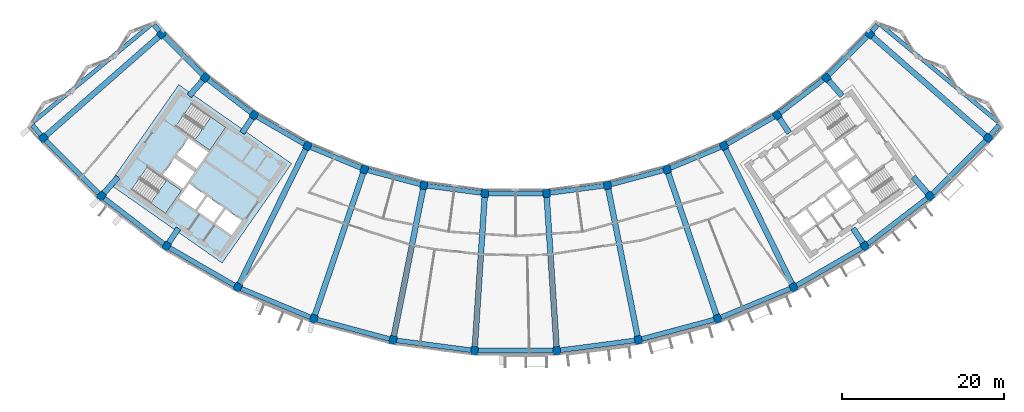
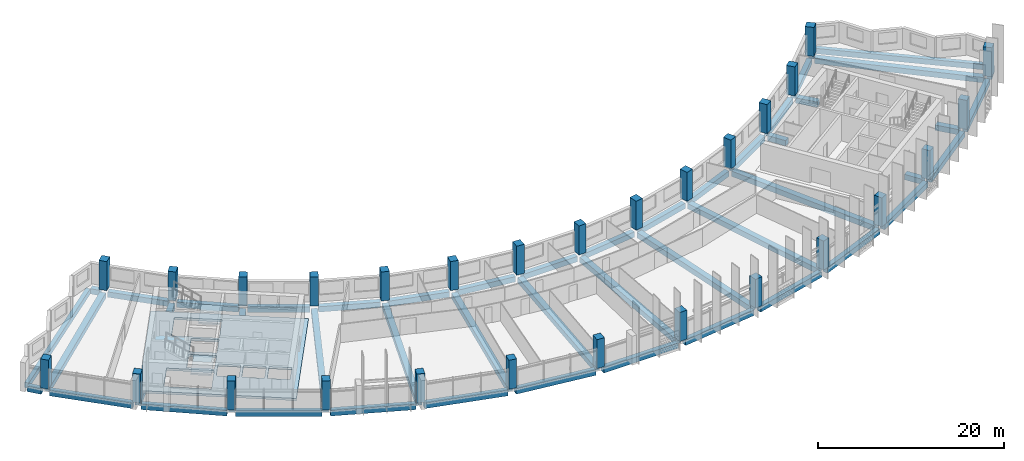
# One storey, part 1 of 28: 50 beams, 28 columns, 3 slabs, 2 elements without a shape of their own.
"""IFC4 building model written with IfcOpenShell, lengths in metres."""

from ifc_helpers import new_model, si_unit, direction, frame, origin, origin_2d, place, context, subcontext, project, spatial, polyline, rectangle, outline, extrude, material, layer, layer_set, material_profile, profile_set, type_object, element, aggregate, save


model = new_model("IFC4")

# Units and contexts
model_context = context("Model", 3, precision=1e-05, world=origin(), true_north=direction((0.0, 1.0)))
body_context = subcontext(model_context, "Body", "Model", "MODEL_VIEW")
ifc_project = project(units=[si_unit("LENGTHUNIT", "METRE"), si_unit("AREAUNIT", "SQUARE_METRE"), si_unit("VOLUMEUNIT", "CUBIC_METRE"), si_unit("PLANEANGLEUNIT", "RADIAN"), si_unit("MASSUNIT", "GRAM", prefix="KILO")], contexts=[model_context])

# Site, building, storey
site_placement = place(None, origin())
site = spatial("IfcSite", under=ifc_project, at=site_placement, CompositionType="ELEMENT")
building_placement = place(site_placement, origin())
building = spatial("IfcBuilding", under=site, at=building_placement, Name="Qamariyya Broadcast Tower", CompositionType="ELEMENT")
storey_placement = place(building_placement, frame((0.0, 0.0, 273.300048828125)))
storey = spatial("IfcBuildingStorey", under=building, at=storey_placement, Name="L66", CompositionType="ELEMENT", Elevation=273.300048828125)

# Columns
ifc_material_1 = material(Name="Concrete C50/60", Category="concrete")
ifc_material_profile_1 = material_profile(ifc_material_1, rectangle(XDim=0.89990234375, YDim=1.0, at=origin_2d()))
ifc_profile_set_1 = profile_set([ifc_material_profile_1], Name="Concrete C50/60")
column_type = type_object("IfcColumnType", Name="RC column 900 x 1000 C50/60", PredefinedType="COLUMN", material=ifc_profile_set_1)
for number, where, z_axis, x_axis, name in (
    (1, (-43.794677734375, -38.406982421875, 0.0), (0.0, 0.0, 1.0), (0.6593458151, -0.751839807479, 0.0), "Column C12 L66 B-R04"),
    (2, (-58.45556640625, -51.26416015625, 0.0), (0.0, 0.0, 1.0), (0.6593458151, -0.751839807479, 0.0), "Column C12 L66 C-R04"),
    (3, (-38.406982421875, -43.794677734375, 0.0), (0.0, 0.0, 1.0), (0.751839807479, -0.6593458151, 0.0), "Column C12 L66 B-R05"),
    (4, (-51.26416015625, -58.45556640625, 0.0), (0.0, 0.0, 1.0), (0.751839807479, -0.6593458151, 0.0), "Column C12 L66 C-R05"),
    (5, (-32.362060546875, -48.43310546875, 0.0), (0.0, 0.0, 1.0), (0.831469612303, -0.55557023302, 0.0), "Column C12 L66 B-R06"),
    (6, (-43.195556640625, -64.646728515625, 0.0), (0.0, 0.0, 1.0), (0.831469612303, -0.55557023302, 0.0), "Column C12 L66 C-R06"),
    (7, (-25.763427734375, -52.242919921875, 0.0), (0.0, 0.0, 1.0), (0.896872741533, -0.442288690219, 0.0), "Column C12 L66 B-R07"),
    (8, (-34.387939453125, -69.73193359375, 0.0), (0.0, 0.0, 1.0), (0.896872741533, -0.442288690219, 0.0), "Column C12 L66 C-R07"),
    (9, (-18.723876953125, -55.15869140625, 0.0), (0.0, 0.0, 1.0), (0.946930129495, -0.321439465303, 0.0), "Column C12 L66 B-R08"),
    (10, (-24.991943359375, -73.623779296875, 0.0), (0.0, 0.0, 1.0), (0.946930129495, -0.321439465303, 0.0), "Column C12 L66 C-R08"),
    (11, (-11.364013671875, -57.130859375, 0.0), (0.0, 0.0, 1.0), (0.980785280403, -0.195090322016, 0.0), "Column C12 L66 B-R09"),
    (12, (-15.168212890625, -76.256103515625, 0.0), (0.0, 0.0, 1.0), (0.980785280403, -0.195090322016, 0.0), "Column C12 L66 C-R09"),
    (13, (-3.809814453125, -58.125244140625, 0.0), (0.0, 0.0, 1.0), (0.997858923239, -0.06540312923, 0.0), "Column C12 L66 B-R10"),
    (14, (-5.085205078125, -77.58349609375, 0.0), (0.0, 0.0, 1.0), (0.997858923239, -0.06540312923, 0.0), "Column C12 L66 C-R10"),
    (15, (3.809814453125, -58.125244140625, 0.0), (0.0, 0.0, 1.0), (0.997858923239, 0.06540312923, 0.0), "Column C12 L66 B-R11"),
    (16, (5.085205078125, -77.58349609375, 0.0), (0.0, 0.0, 1.0), (0.997858923239, 0.06540312923, 0.0), "Column C12 L66 C-R11"),
    (17, (11.364013671875, -57.130859375, 0.0), (0.0, 0.0, 1.0), (0.980785280403, 0.195090322016, 0.0), "Column C12 L66 B-R12"),
    (18, (15.168212890625, -76.256103515625, 0.0), (0.0, 0.0, 1.0), (0.980785280403, 0.195090322016, 0.0), "Column C12 L66 C-R12"),
    (19, (18.723876953125, -55.15869140625, 0.0), (0.0, 0.0, 1.0), (0.946930129495, 0.321439465303, 0.0), "Column C12 L66 B-R13"),
    (20, (24.991943359375, -73.623779296875, 0.0), (0.0, 0.0, 1.0), (0.946930129495, 0.321439465303, 0.0), "Column C12 L66 C-R13"),
    (21, (25.763427734375, -52.242919921875, 0.0), (0.0, 0.0, 1.0), (0.896872741533, 0.442288690219, 0.0), "Column C12 L66 B-R14"),
    (22, (34.387939453125, -69.73193359375, 0.0), (0.0, 0.0, 1.0), (0.896872741533, 0.442288690219, 0.0), "Column C12 L66 C-R14"),
    (23, (32.362060546875, -48.43310546875, 0.0), (0.0, 0.0, 1.0), (0.831469612303, 0.55557023302, 0.0), "Column C12 L66 B-R15"),
    (24, (43.195556640625, -64.646728515625, 0.0), (0.0, 0.0, 1.0), (0.831469612303, 0.55557023302, 0.0), "Column C12 L66 C-R15"),
    (25, (38.406982421875, -43.794677734375, 0.0), (0.0, 0.0, 1.0), (0.751839807479, 0.6593458151, 0.0), "Column C12 L66 B-R16"),
    (26, (51.26416015625, -58.45556640625, 0.0), (0.0, 0.0, 1.0), (0.751839807479, 0.6593458151, 0.0), "Column C12 L66 C-R16"),
    (27, (43.794677734375, -38.406982421875, 0.0), (0.0, 0.0, 1.0), (0.6593458151, 0.751839807479, 0.0), "Column C12 L66 B-R17"),
    (28, (58.45556640625, -51.26416015625, 0.0), (0.0, 0.0, 1.0), (0.6593458151, 0.751839807479, 0.0), "Column C12 L66 C-R17"),
):
    element("IfcColumn", number, at=place(storey_placement, frame(where, z_axis=z_axis, x_axis=x_axis)), inside=storey, type_object=column_type, Name=name, PredefinedType="COLUMN", context=body_context, shape_type="SweptSolid", body=[
        extrude(rectangle(XDim=0.89990234375, YDim=1.0, at=origin_2d()), origin(), (0.0, 0.0, 1.0), 3.800048828125),
    ])

# Beams
ifc_material_2 = material(Name="Concrete C40/50", Category="concrete")
ifc_material_profile_2 = material_profile(ifc_material_2, rectangle(XDim=0.60009765625, YDim=0.699951171875, at=origin_2d()))
ifc_profile_set_2 = profile_set([ifc_material_profile_2], Name="Concrete C40/50")
beam_type_1 = type_object("IfcBeamType", Name="RC edge beam 600 x 700 C40/50", PredefinedType="SPANDREL", material=ifc_profile_set_2)
for number, where, z_axis, x_axis, name in (
    (29, (-43.475830078125, -38.725830078125, -0.650146484375), (0.707106781187, -0.707106781187, 0.0), (0.707106781187, 0.707106781187, 0.0), "Edge beam B20 L66 B R04-R05"),
    (30, (-38.049072265625, -44.069091796875, -0.650146484375), (0.793335450892, -0.608784742219, 0.0), (0.608784742219, 0.793335450892, 0.0), "Edge beam B20 L66 B R05-R06"),
    (31, (-31.971435546875, -48.65869140625, -0.650146484375), (0.866036098112, -0.499981476425, 0.0), (0.499981476425, 0.866036098112, 0.0), "Edge beam B20 L66 B R06-R07"),
    (32, (-25.3466796875, -52.41552734375, -0.650146484375), (0.923888821942, -0.382661004926, 0.0), (0.382661004926, 0.923888821942, 0.0), "Edge beam B20 L66 B R07-R08"),
    (33, (-18.288330078125, -55.275390625, -0.650146484375), (0.965930856343, -0.258800271955, 0.0), (0.258800271955, 0.965930856343, 0.0), "Edge beam B20 L66 B R08-R09"),
    (34, (-10.9169921875, -57.189697265625, -0.650146484375), (0.991447119382, -0.130509039798, 0.0), (0.130509039798, 0.991447119382, 0.0), "Edge beam B20 L66 B R09-R10"),
):
    element("IfcBeam", number, at=place(storey_placement, frame(where, z_axis=z_axis, x_axis=x_axis)), inside=storey, type_object=beam_type_1, Name=name, PredefinedType="SPANDREL", context=body_context, shape_type="SweptSolid", body=[
        extrude(rectangle(XDim=0.60009765625, YDim=0.699951171875, at=origin_2d()), origin(), (0.0, 0.0, 1.0), 6.717529296875),
    ])
beam_1_placement = place(storey_placement, frame((-3.35888671875, -58.125244140625, -0.650146484375), z_axis=(1.0, 0.0, 0.0), x_axis=(0.0, 1.0, 0.0)))
element("IfcBeam", 35, at=beam_1_placement, inside=storey, type_object=beam_type_1, Name="Edge beam B20 L66 B R10-R11", PredefinedType="SPANDREL", context=body_context, shape_type="SweptSolid", body=[
    extrude(rectangle(XDim=0.60009765625, YDim=0.699951171875, at=origin_2d()), origin(), (0.0, 0.0, 1.0), 6.7177734375),
])
for number, where, z_axis, x_axis, name in (
    (36, (4.2568359375, -58.06640625, -0.650146484375), (0.991447119382, 0.130509039798, 0.0), (-0.130509039798, 0.991447119382, 0.0), "Edge beam B20 L66 B R11-R12"),
    (37, (11.799560546875, -57.013916015625, -0.650146484375), (0.965930856343, 0.258800271955, 0.0), (-0.258800271955, 0.965930856343, 0.0), "Edge beam B20 L66 B R12-R13"),
    (38, (19.140380859375, -54.986083984375, -0.650146484375), (0.923888821942, 0.382661004926, 0.0), (-0.382661004926, 0.923888821942, 0.0), "Edge beam B20 L66 B R13-R14"),
    (39, (26.15380859375, -52.017333984375, -0.650146484375), (0.866036098112, 0.499981476425, 0.0), (-0.499981476425, 0.866036098112, 0.0), "Edge beam B20 L66 B R14-R15"),
    (40, (32.7197265625, -48.15869140625, -0.650146484375), (0.793335450892, 0.608784742219, 0.0), (-0.608784742219, 0.793335450892, 0.0), "Edge beam B20 L66 B R15-R16"),
    (41, (38.725830078125, -43.475830078125, -0.650146484375), (0.707106781187, 0.707106781187, 0.0), (-0.707106781187, 0.707106781187, 0.0), "Edge beam B20 L66 B R16-R17"),
):
    element("IfcBeam", number, at=place(storey_placement, frame(where, z_axis=z_axis, x_axis=x_axis)), inside=storey, type_object=beam_type_1, Name=name, PredefinedType="SPANDREL", context=body_context, shape_type="SweptSolid", body=[
        extrude(rectangle(XDim=0.60009765625, YDim=0.699951171875, at=origin_2d()), origin(), (0.0, 0.0, 1.0), 6.717529296875),
    ])
for number, where, z_axis, x_axis, name in (
    (42, (-58.13671875, -51.5830078125, -0.650146484375), (0.707106781187, -0.707106781187, 0.0), (0.707106781187, 0.707106781187, 0.0), "Edge beam B20 L66 C R04-R05"),
    (43, (-50.90625, -58.72998046875, -0.650146484375), (0.793335362304, -0.608784857662, 0.0), (0.608784857662, 0.793335362304, 0.0), "Edge beam B20 L66 C R05-R06"),
):
    element("IfcBeam", number, at=place(storey_placement, frame(where, z_axis=z_axis, x_axis=x_axis)), inside=storey, type_object=beam_type_1, Name=name, PredefinedType="SPANDREL", context=body_context, shape_type="SweptSolid", body=[
        extrude(rectangle(XDim=0.60009765625, YDim=0.699951171875, at=origin_2d()), origin(), (0.0, 0.0, 1.0), 9.268310546875),
    ])
for number, where, z_axis, x_axis, name in (
    (44, (-42.804931640625, -64.872314453125, -0.650146484375), (0.866025032501, -0.50000064308, 0.0), (0.50000064308, 0.866025032501, 0.0), "Edge beam B20 L66 C R06-R07"),
    (45, (-33.97119140625, -69.904541015625, -0.650146484375), (0.923886165939, -0.382667417461, 0.0), (0.382667417461, 0.923886165939, 0.0), "Edge beam B20 L66 C R07-R08"),
):
    element("IfcBeam", number, at=place(storey_placement, frame(where, z_axis=z_axis, x_axis=x_axis)), inside=storey, type_object=beam_type_1, Name=name, PredefinedType="SPANDREL", context=body_context, shape_type="SweptSolid", body=[
        extrude(rectangle(XDim=0.60009765625, YDim=0.699951171875, at=origin_2d()), origin(), (0.0, 0.0, 1.0), 9.26806640625),
    ])
beam_2_placement = place(storey_placement, frame((-24.556396484375, -73.740478515625, -0.650146484375), z_axis=(0.965923830183, -0.258826494556, 0.0), x_axis=(0.258826494556, 0.965923830183, 0.0)))
element("IfcBeam", 46, at=beam_2_placement, inside=storey, type_object=beam_type_1, Name="Edge beam B20 L66 C R08-R09", PredefinedType="SPANDREL", context=body_context, shape_type="SweptSolid", body=[
    extrude(rectangle(XDim=0.60009765625, YDim=0.699951171875, at=origin_2d()), origin(), (0.0, 0.0, 1.0), 9.2685546875),
])
beam_3_placement = place(storey_placement, frame((-14.72119140625, -76.31494140625, -0.650146484375), z_axis=(0.991445327372, -0.130522652562, 0.0), x_axis=(0.130522652562, 0.991445327372, 0.0)))
element("IfcBeam", 47, at=beam_3_placement, inside=storey, type_object=beam_type_1, Name="Edge beam B20 L66 C R09-R10", PredefinedType="SPANDREL", context=body_context, shape_type="SweptSolid", body=[
    extrude(rectangle(XDim=0.60009765625, YDim=0.699951171875, at=origin_2d()), origin(), (0.0, 0.0, 1.0), 9.268310546875),
])
beam_4_placement = place(storey_placement, frame((-4.634033203125, -77.58349609375, -0.650146484375), z_axis=(1.0, 0.0, 0.0), x_axis=(0.0, 1.0, 0.0)))
element("IfcBeam", 48, at=beam_4_placement, inside=storey, type_object=beam_type_1, Name="Edge beam B20 L66 C R10-R11", PredefinedType="SPANDREL", context=body_context, shape_type="SweptSolid", body=[
    extrude(rectangle(XDim=0.60009765625, YDim=0.699951171875, at=origin_2d()), origin(), (0.0, 0.0, 1.0), 9.26806640625),
])
beam_5_placement = place(storey_placement, frame((5.5322265625, -77.524658203125, -0.650146484375), z_axis=(0.991445327372, 0.130522652562, 0.0), x_axis=(-0.130522652562, 0.991445327372, 0.0)))
element("IfcBeam", 49, at=beam_5_placement, inside=storey, type_object=beam_type_1, Name="Edge beam B20 L66 C R11-R12", PredefinedType="SPANDREL", context=body_context, shape_type="SweptSolid", body=[
    extrude(rectangle(XDim=0.60009765625, YDim=0.699951171875, at=origin_2d()), origin(), (0.0, 0.0, 1.0), 9.268310546875),
])
beam_6_placement = place(storey_placement, frame((15.603759765625, -76.139404296875, -0.650146484375), z_axis=(0.965923830183, 0.258826494556, 0.0), x_axis=(-0.258826494556, 0.965923830183, 0.0)))
element("IfcBeam", 50, at=beam_6_placement, inside=storey, type_object=beam_type_1, Name="Edge beam B20 L66 C R12-R13", PredefinedType="SPANDREL", context=body_context, shape_type="SweptSolid", body=[
    extrude(rectangle(XDim=0.60009765625, YDim=0.699951171875, at=origin_2d()), origin(), (0.0, 0.0, 1.0), 9.2685546875),
])
for number, where, z_axis, x_axis, name in (
    (51, (25.408447265625, -73.451171875, -0.650146484375), (0.923886165939, 0.382667417461, 0.0), (-0.382667417461, 0.923886165939, 0.0), "Edge beam B20 L66 C R13-R14"),
    (52, (34.778564453125, -69.50634765625, -0.650146484375), (0.866025032501, 0.50000064308, 0.0), (-0.50000064308, 0.866025032501, 0.0), "Edge beam B20 L66 C R14-R15"),
):
    element("IfcBeam", number, at=place(storey_placement, frame(where, z_axis=z_axis, x_axis=x_axis)), inside=storey, type_object=beam_type_1, Name=name, PredefinedType="SPANDREL", context=body_context, shape_type="SweptSolid", body=[
        extrude(rectangle(XDim=0.60009765625, YDim=0.699951171875, at=origin_2d()), origin(), (0.0, 0.0, 1.0), 9.26806640625),
    ])
for number, where, z_axis, x_axis, name in (
    (53, (43.553466796875, -64.372314453125, -0.650146484375), (0.793335362304, 0.608784857662, 0.0), (-0.608784857662, 0.793335362304, 0.0), "Edge beam B20 L66 C R15-R16"),
    (54, (51.5830078125, -58.13671875, -0.650146484375), (0.707106781187, 0.707106781187, 0.0), (-0.707106781187, 0.707106781187, 0.0), "Edge beam B20 L66 C R16-R17"),
):
    element("IfcBeam", number, at=place(storey_placement, frame(where, z_axis=z_axis, x_axis=x_axis)), inside=storey, type_object=beam_type_1, Name=name, PredefinedType="SPANDREL", context=body_context, shape_type="SweptSolid", body=[
        extrude(rectangle(XDim=0.60009765625, YDim=0.699951171875, at=origin_2d()), origin(), (0.0, 0.0, 1.0), 9.268310546875),
    ])
ifc_material_profile_3 = material_profile(ifc_material_2, rectangle(XDim=0.60009765625, YDim=0.699951171875, at=origin_2d()))
ifc_profile_set_3 = profile_set([ifc_material_profile_3], Name="Concrete C40/50")
beam_type_2 = type_object("IfcBeamType", Name="RC horn beam 600 x 700 C40/50", PredefinedType="BEAM", material=ifc_profile_set_3)
beam_7_placement = place(storey_placement, frame((-44.08642578125, -38.064208984375, -0.650146484375), z_axis=(-0.648025375544, 0.761618744945, 0.0), x_axis=(-0.761618744945, -0.648025375544, 0.0)))
element("IfcBeam", 55, at=beam_7_placement, inside=storey, type_object=beam_type_2, Name="Horn beam B19 L66 W B-R04", PredefinedType="BEAM", context=body_context, shape_type="SweptSolid", body=[
    extrude(rectangle(XDim=0.60009765625, YDim=0.699951171875, at=origin_2d()), origin(), (0.0, 0.0, 1.0), 1.03369140625),
])
beam_8_placement = place(storey_placement, frame((-58.747314453125, -50.92138671875, -0.650146484375), z_axis=(-0.648034651209, 0.761610852623, 0.0), x_axis=(-0.761610852623, -0.648034651209, 0.0)))
element("IfcBeam", 56, at=beam_8_placement, inside=storey, type_object=beam_type_2, Name="Horn beam B19 L66 W C-R04", PredefinedType="BEAM", context=body_context, shape_type="SweptSolid", body=[
    extrude(rectangle(XDim=0.60009765625, YDim=0.699951171875, at=origin_2d()), origin(), (0.0, 0.0, 1.0), 1.6142578125),
])
beam_9_placement = place(storey_placement, frame((44.08642578125, -38.064208984375, -0.650146484375), z_axis=(0.648025375544, 0.761618744945, 0.0), x_axis=(-0.761618744945, 0.648025375544, 0.0)))
element("IfcBeam", 57, at=beam_9_placement, inside=storey, type_object=beam_type_2, Name="Horn beam B19 L66 E B-R17", PredefinedType="BEAM", context=body_context, shape_type="SweptSolid", body=[
    extrude(rectangle(XDim=0.60009765625, YDim=0.699951171875, at=origin_2d()), origin(), (0.0, 0.0, 1.0), 1.03369140625),
])
beam_10_placement = place(storey_placement, frame((58.747314453125, -50.92138671875, -0.650146484375), z_axis=(0.648034651209, 0.761610852623, 0.0), x_axis=(-0.761610852623, 0.648034651209, 0.0)))
element("IfcBeam", 58, at=beam_10_placement, inside=storey, type_object=beam_type_2, Name="Horn beam B19 L66 E C-R17", PredefinedType="BEAM", context=body_context, shape_type="SweptSolid", body=[
    extrude(rectangle(XDim=0.60009765625, YDim=0.699951171875, at=origin_2d()), origin(), (0.0, 0.0, 1.0), 1.6142578125),
])
ifc_material_profile_4 = material_profile(ifc_material_2, rectangle(XDim=0.5, YDim=0.699951171875, at=origin_2d()))
ifc_profile_set_4 = profile_set([ifc_material_profile_4], Name="Concrete C40/50")
beam_type_3 = type_object("IfcBeamType", Name="RC horn cap beam 500 x 700 C40/50", PredefinedType="BEAM", material=ifc_profile_set_4)
for number, where, z_axis, x_axis, name in (
    (59, (-45.149658203125, -37.27734375, -0.650146484375), (-0.771132422827, -0.636674788621, 0.0), (0.636674788621, -0.771132422827, 0.0), "Horn cap beam B21 L66 W B-C"),
    (60, (45.149658203125, -37.27734375, -0.650146484375), (0.771132422827, -0.636674788621, 0.0), (0.636674788621, 0.771132422827, 0.0), "Horn cap beam B21 L66 E B-C"),
):
    element("IfcBeam", number, at=place(storey_placement, frame(where, z_axis=z_axis, x_axis=x_axis)), inside=storey, type_object=beam_type_3, Name=name, PredefinedType="BEAM", context=body_context, shape_type="SweptSolid", body=[
        extrude(rectangle(XDim=0.5, YDim=0.699951171875, at=origin_2d()), origin(), (0.0, 0.0, 1.0), 18.900146484375),
    ])
ifc_material_profile_5 = material_profile(ifc_material_2, rectangle(XDim=0.699951171875, YDim=0.699951171875, at=origin_2d()))
ifc_profile_set_5 = profile_set([ifc_material_profile_5], Name="Concrete C40/50")
beam_type_4 = type_object("IfcBeamType", Name="RC radial beam 700 x 700 C40/50", PredefinedType="BEAM", material=ifc_profile_set_5)
beam_11_placement = place(storey_placement, frame((-44.170654296875, -38.736572265625, -0.650146484375), z_axis=(-0.751834744467, -0.659351588314, 0.0), x_axis=(0.659351588314, -0.751834744467, 0.0)))
element("IfcBeam", 61, at=beam_11_placement, inside=storey, type_object=beam_type_4, Name="Radial beam B18 L66 R04 B-C", PredefinedType="BEAM", context=body_context, shape_type="SweptSolid", body=[
    extrude(rectangle(XDim=0.699951171875, YDim=0.699951171875, at=origin_2d()), origin(), (0.0, 0.0, 1.0), 18.5),
])
beam_12_placement = place(storey_placement, frame((-38.736572265625, -44.170654296875, -0.650146484375), z_axis=(-0.659370418704, -0.751818229986, 0.0), x_axis=(0.751818229986, -0.659370418704, 0.0)))
element("IfcBeam", 62, at=beam_12_placement, inside=storey, type_object=beam_type_4, Name="Radial beam B18 L66 R05 B-C", PredefinedType="BEAM", context=body_context, shape_type="SweptSolid", body=[
    extrude(rectangle(XDim=0.699951171875, YDim=0.699951171875, at=origin_2d()), origin(), (0.0, 0.0, 1.0), 2.51416015625),
])
beam_13_placement = place(storey_placement, frame((-49.1943359375, -56.095458984375, -0.650146484375), z_axis=(-0.659388288985, -0.751802556759, 0.0), x_axis=(0.751802556759, -0.659388288985, 0.0)))
element("IfcBeam", 63, at=beam_13_placement, inside=storey, type_object=beam_type_4, Name="Radial beam B18 L66 R05 B-C", PredefinedType="BEAM", context=body_context, shape_type="SweptSolid", body=[
    extrude(rectangle(XDim=0.699951171875, YDim=0.699951171875, at=origin_2d()), origin(), (0.0, 0.0, 1.0), 2.63916015625),
])
beam_14_placement = place(storey_placement, frame((-32.6396484375, -48.848876953125, -0.650146484375), z_axis=(-0.555636925355, -0.83142504604, 0.0), x_axis=(0.83142504604, -0.555636925355, 0.0)))
element("IfcBeam", 64, at=beam_14_placement, inside=storey, type_object=beam_type_4, Name="Radial beam B18 L66 R06 B-C", PredefinedType="BEAM", context=body_context, shape_type="SweptSolid", body=[
    extrude(rectangle(XDim=0.699951171875, YDim=0.699951171875, at=origin_2d()), origin(), (0.0, 0.0, 1.0), 2.16455078125),
])
beam_15_placement = place(storey_placement, frame((-41.733154296875, -62.458251953125, -0.650146484375), z_axis=(-0.555598329138, -0.83145083839, 0.0), x_axis=(0.83145083839, -0.555598329138, 0.0)))
element("IfcBeam", 65, at=beam_15_placement, inside=storey, type_object=beam_type_4, Name="Radial beam B18 L66 R06 B-C", PredefinedType="BEAM", context=body_context, shape_type="SweptSolid", body=[
    extrude(rectangle(XDim=0.699951171875, YDim=0.699951171875, at=origin_2d()), origin(), (0.0, 0.0, 1.0), 2.132080078125),
])
for number, where, z_axis, x_axis, name in (
    (66, (-25.984375, -52.691162109375, -0.650146484375), (-0.442287103846, -0.896873523843, 0.0), (0.896873523843, -0.442287103846, 0.0), "Radial beam B18 L66 R07 B-C"),
    (67, (-18.884521484375, -55.632080078125, -0.650146484375), (-0.321444904473, -0.946928283128, 0.0), (0.946928283128, -0.321444904473, 0.0), "Radial beam B18 L66 R08 B-C"),
):
    element("IfcBeam", number, at=place(storey_placement, frame(where, z_axis=z_axis, x_axis=x_axis)), inside=storey, type_object=beam_type_4, Name=name, PredefinedType="BEAM", context=body_context, shape_type="SweptSolid", body=[
        extrude(rectangle(XDim=0.699951171875, YDim=0.699951171875, at=origin_2d()), origin(), (0.0, 0.0, 1.0), 18.500244140625),
    ])
for number, where, z_axis, x_axis, name in (
    (68, (-11.461669921875, -57.62109375, -0.650146484375), (-0.195088200207, -0.980785702455, 0.0), (0.980785702455, -0.195088200207, 0.0), "Radial beam B18 L66 R09 B-C"),
    (69, (-3.842529296875, -58.624267578125, -0.650146484375), (-0.065403084588, -0.997858926165, 0.0), (0.997858926165, -0.065403084588, 0.0), "Radial beam B18 L66 R10 B-C"),
    (70, (3.842529296875, -58.624267578125, -0.650146484375), (0.065403084588, -0.997858926165, 0.0), (0.997858926165, 0.065403084588, 0.0), "Radial beam B18 L66 R11 B-C"),
    (71, (11.461669921875, -57.62109375, -0.650146484375), (0.195088200207, -0.980785702455, 0.0), (0.980785702455, 0.195088200207, 0.0), "Radial beam B18 L66 R12 B-C"),
):
    element("IfcBeam", number, at=place(storey_placement, frame(where, z_axis=z_axis, x_axis=x_axis)), inside=storey, type_object=beam_type_4, Name=name, PredefinedType="BEAM", context=body_context, shape_type="SweptSolid", body=[
        extrude(rectangle(XDim=0.699951171875, YDim=0.699951171875, at=origin_2d()), origin(), (0.0, 0.0, 1.0), 18.5),
    ])
for number, where, z_axis, x_axis, name in (
    (72, (18.884521484375, -55.632080078125, -0.650146484375), (0.321444904473, -0.946928283128, 0.0), (0.946928283128, 0.321444904473, 0.0), "Radial beam B18 L66 R13 B-C"),
    (73, (25.984375, -52.691162109375, -0.650146484375), (0.442287103846, -0.896873523843, 0.0), (0.896873523843, 0.442287103846, 0.0), "Radial beam B18 L66 R14 B-C"),
):
    element("IfcBeam", number, at=place(storey_placement, frame(where, z_axis=z_axis, x_axis=x_axis)), inside=storey, type_object=beam_type_4, Name=name, PredefinedType="BEAM", context=body_context, shape_type="SweptSolid", body=[
        extrude(rectangle(XDim=0.699951171875, YDim=0.699951171875, at=origin_2d()), origin(), (0.0, 0.0, 1.0), 18.500244140625),
    ])
beam_16_placement = place(storey_placement, frame((32.6396484375, -48.848876953125, -0.650146484375), z_axis=(0.555636925355, -0.83142504604, 0.0), x_axis=(0.83142504604, 0.555636925355, 0.0)))
element("IfcBeam", 74, at=beam_16_placement, inside=storey, type_object=beam_type_4, Name="Radial beam B18 L66 R15 B-C", PredefinedType="BEAM", context=body_context, shape_type="SweptSolid", body=[
    extrude(rectangle(XDim=0.699951171875, YDim=0.699951171875, at=origin_2d()), origin(), (0.0, 0.0, 1.0), 2.16455078125),
])
beam_17_placement = place(storey_placement, frame((41.733154296875, -62.458251953125, -0.650146484375), z_axis=(0.555598329138, -0.83145083839, 0.0), x_axis=(0.83145083839, 0.555598329138, 0.0)))
element("IfcBeam", 75, at=beam_17_placement, inside=storey, type_object=beam_type_4, Name="Radial beam B18 L66 R15 B-C", PredefinedType="BEAM", context=body_context, shape_type="SweptSolid", body=[
    extrude(rectangle(XDim=0.699951171875, YDim=0.699951171875, at=origin_2d()), origin(), (0.0, 0.0, 1.0), 2.132080078125),
])
beam_18_placement = place(storey_placement, frame((38.736572265625, -44.170654296875, -0.650146484375), z_axis=(0.659370418704, -0.751818229986, 0.0), x_axis=(0.751818229986, 0.659370418704, 0.0)))
element("IfcBeam", 76, at=beam_18_placement, inside=storey, type_object=beam_type_4, Name="Radial beam B18 L66 R16 B-C", PredefinedType="BEAM", context=body_context, shape_type="SweptSolid", body=[
    extrude(rectangle(XDim=0.699951171875, YDim=0.699951171875, at=origin_2d()), origin(), (0.0, 0.0, 1.0), 2.51416015625),
])
beam_19_placement = place(storey_placement, frame((49.1943359375, -56.095458984375, -0.650146484375), z_axis=(0.659388288985, -0.751802556759, 0.0), x_axis=(0.751802556759, 0.659388288985, 0.0)))
element("IfcBeam", 77, at=beam_19_placement, inside=storey, type_object=beam_type_4, Name="Radial beam B18 L66 R16 B-C", PredefinedType="BEAM", context=body_context, shape_type="SweptSolid", body=[
    extrude(rectangle(XDim=0.699951171875, YDim=0.699951171875, at=origin_2d()), origin(), (0.0, 0.0, 1.0), 2.63916015625),
])
beam_20_placement = place(storey_placement, frame((44.170654296875, -38.736572265625, -0.650146484375), z_axis=(0.751834744467, -0.659351588314, 0.0), x_axis=(0.659351588314, 0.751834744467, 0.0)))
element("IfcBeam", 78, at=beam_20_placement, inside=storey, type_object=beam_type_4, Name="Radial beam B18 L66 R17 B-C", PredefinedType="BEAM", context=body_context, shape_type="SweptSolid", body=[
    extrude(rectangle(XDim=0.699951171875, YDim=0.699951171875, at=origin_2d()), origin(), (0.0, 0.0, 1.0), 18.5),
])

# Slab
ifc_layer_1 = layer(ifc_material_2, 0.300048828125)
ifc_layer_set_1 = layer_set([ifc_layer_1], Name="Core floor slab 300 mm Concrete C40/50")
slab_type_1 = type_object("IfcSlabType", Name="Core floor slab 300 mm Concrete C40/50", PredefinedType="FLOOR", material=ifc_layer_set_1)
slab_1_placement = place(storey_placement, frame((0.0, 0.0, -0.300048828125)))
element("IfcSlab", 79, at=slab_1_placement, inside=storey, type_object=slab_type_1, Name="k-W-L66-slab", PredefinedType="FLOOR", context=body_context, shape_type="SweptSolid", body=[
    extrude(outline(polyline([(-50.286376953125, -56.95751953125), (-36.32373046875, -66.734375), (-27.719970703125, -54.447021484375), (-41.6826171875, -44.67041015625), (-50.286376953125, -56.95751953125)]), holes=[polyline([(-33.87353515625, -61.49169921875), (-35.88037109375, -60.08642578125), (-37.142333984375, -61.888427734375), (-35.13525390625, -63.293701171875), (-33.87353515625, -61.49169921875)]), polyline([(-36.126220703125, -59.914306640625), (-38.133056640625, -58.509033203125), (-39.394775390625, -60.311279296875), (-37.387939453125, -61.716552734375), (-36.126220703125, -59.914306640625)]), polyline([(-38.378662109375, -58.3369140625), (-40.3857421875, -56.931640625), (-41.6474609375, -58.73388671875), (-39.640625, -60.13916015625), (-38.378662109375, -58.3369140625)]), polyline([(-39.742431640625, -55.489990234375), (-42.199951171875, -53.769287109375), (-43.6337890625, -55.817138671875), (-41.17626953125, -57.537841796875), (-39.742431640625, -55.489990234375)]), polyline([(-39.45556640625, -55.080322265625), (-41.9130859375, -53.359619140625), (-40.47900390625, -51.311767578125), (-38.021728515625, -53.032470703125), (-39.45556640625, -55.080322265625)]), polyline([(-42.06103515625, -49.837890625), (-37.849609375, -52.78662109375), (-35.870849609375, -49.960693359375), (-40.082275390625, -47.01171875), (-42.06103515625, -49.837890625)]), polyline([(-47.538818359375, -57.66064453125), (-43.3271484375, -60.609619140625), (-41.348388671875, -57.783447265625), (-45.559814453125, -54.834716796875), (-47.538818359375, -57.66064453125)])]), origin(), (0.0, 0.0, 1.0), 0.300048828125),
])

# Stair, slab
stair_type = type_object("IfcStairType", Name="Exit stair 22 risers of 173 mm", PredefinedType="HALF_TURN_STAIR", material=ifc_material_1)
stair_1_placement = place(storey_placement, origin())
stair_1 = element("IfcStair", 80, at=stair_1_placement, inside=storey, type_object=stair_type, Name="L66 Stair W2", PredefinedType="HALF_TURN_STAIR")
ifc_layer_2 = layer(ifc_material_1, 0.199951171875)
ifc_layer_set_2 = layer_set([ifc_layer_2], Name="Stair landing")
slab_type_2 = type_object("IfcSlabType", Name="Stair landing", PredefinedType="LANDING", material=ifc_layer_set_2)
slab_2_placement = place(storey_placement, frame((0.0, 0.0, 1.699951171875)))
slab_2 = element("IfcSlab", 81, at=slab_2_placement, type_object=slab_type_2, Name="ST-W2 landing 1", PredefinedType="LANDING", context=body_context, shape_type="SweptSolid", body=[
    extrude(outline(polyline([(-39.692138671875, -51.49658203125), (-37.849609375, -52.78662109375), (-35.870849609375, -49.960693359375), (-37.71337890625, -48.67041015625), (-39.692138671875, -51.49658203125)])), origin(), (0.0, 0.0, 1.0), 0.199951171875),
])
aggregate(stair_1, [slab_2])

stair_2_placement = place(storey_placement, origin())
stair_2 = element("IfcStair", 82, at=stair_2_placement, inside=storey, type_object=stair_type, Name="L66 Stair W1", PredefinedType="HALF_TURN_STAIR")
slab_3_placement = place(storey_placement, frame((0.0, 0.0, 1.699951171875)))
slab_3 = element("IfcSlab", 83, at=slab_3_placement, type_object=slab_type_2, Name="ST-W1 landing 1", PredefinedType="LANDING", context=body_context, shape_type="SweptSolid", body=[
    extrude(outline(polyline([(-45.169677734375, -59.319580078125), (-43.3271484375, -60.609619140625), (-41.348388671875, -57.783447265625), (-43.19091796875, -56.493408203125), (-45.169677734375, -59.319580078125)])), origin(), (0.0, 0.0, 1.0), 0.199951171875),
])
aggregate(stair_2, [slab_3])

save(model, "model.ifc")
